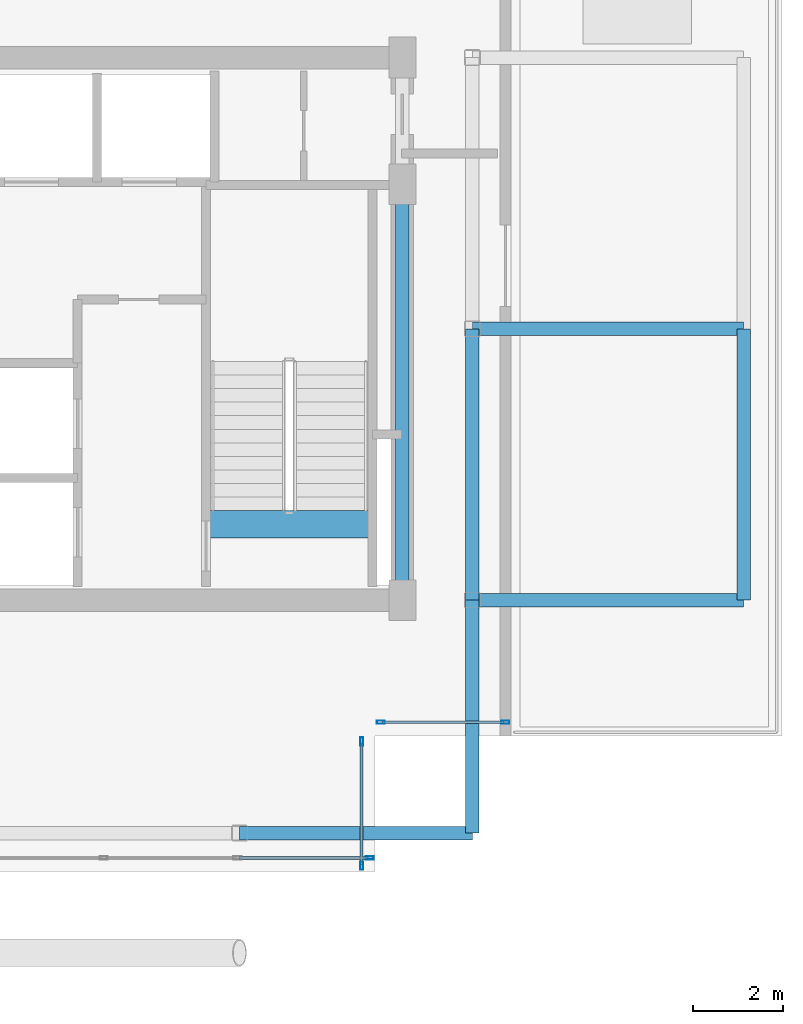
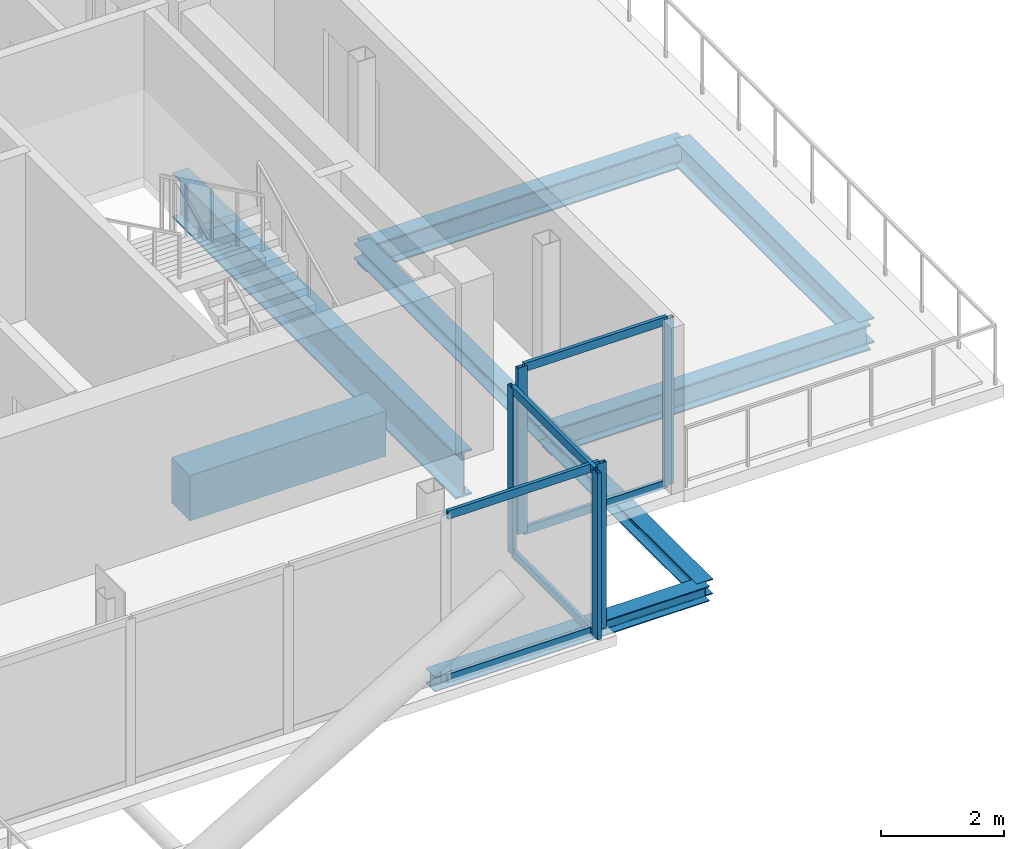
# One storey, part 11 of 19: 11 members, 8 beams, 3 elements without a shape of their own.
"""IFC4 building model written with IfcOpenShell, lengths in metres."""

from ifc_helpers import new_model, si_unit, direction, frame, origin, origin_2d, place, context, subcontext, project, spatial, rectangle, hollow_rectangle, i_section, extrude, material, layer, layer_set, material_profile, profile_set, type_object, element, aggregate, save


model = new_model("IFC4")

# Units and contexts
model_context = context("Model", 3, precision=1e-05, world=origin(), true_north=direction((0.0, 1.0)))
body_context = subcontext(model_context, "Body", "Model", "MODEL_VIEW")
ifc_project = project(units=[si_unit("LENGTHUNIT", "METRE"), si_unit("AREAUNIT", "SQUARE_METRE"), si_unit("VOLUMEUNIT", "CUBIC_METRE"), si_unit("PLANEANGLEUNIT", "RADIAN"), si_unit("MASSUNIT", "GRAM", prefix="KILO"), si_unit("THERMODYNAMICTEMPERATUREUNIT", "KELVIN"), si_unit("POWERUNIT", "WATT")], contexts=[model_context])

# Site, building, storey
site_placement = place(None, origin())
site = spatial("IfcSite", under=ifc_project, at=site_placement, CompositionType="ELEMENT")
building_placement = place(site_placement, origin())
building = spatial("IfcBuilding", under=site, at=building_placement, Name="Svarakhadi Broadcast Tower", CompositionType="ELEMENT")
storey_placement = place(building_placement, frame((0.0, 0.0, 239.699951171875)))
storey = spatial("IfcBuildingStorey", under=building, at=storey_placement, Name="L59", CompositionType="ELEMENT", Elevation=239.699951171875)

# Curtain wall, members
ifc_material_1 = material(Name="Anodised Bronze Aluminium AA 6063-T6", Category="aluminium")
ifc_layer = layer(ifc_material_1, 0.179931640625)
ifc_layer_set = layer_set([ifc_layer], Name="Anodised Bronze Aluminium AA 6063-T6")
curtain_wall_type = type_object("IfcCurtainWallType", Name="CW_Sys_05", PredefinedType="NOTDEFINED", material=ifc_layer_set)
curtain_wall_1_placement = place(storey_placement, origin())
curtain_wall_1 = element("IfcCurtainWall", 1, at=curtain_wall_1_placement, inside=storey, type_object=curtain_wall_type, Name="L59 Unitised Facade Curtain Wall 12", PredefinedType="NOTDEFINED")
ifc_material_profile_1 = material_profile(ifc_material_1, hollow_rectangle(XDim=0.070068359375, YDim=0.179931640625, WallThickness=0.005615234375, at=origin_2d()), Name="ALU MULLION 180x70x6")
ifc_profile_set_1 = profile_set([ifc_material_profile_1], Name="Anodised Bronze Aluminium AA 6063-T6")
member_type_1 = type_object("IfcMemberType", Name="CW_Sys_05_Mul", PredefinedType="MULLION", material=ifc_profile_set_1)
member_1_placement = place(storey_placement, frame((35.875, 3.300048828125, 0.0), z_axis=(0.0, 0.0, 1.0), x_axis=(0.0, -1.0, 0.0)))
member_1 = element("IfcMember", 2, at=member_1_placement, type_object=member_type_1, Name="CW-05 mullion 1", PredefinedType="MULLION", context=body_context, shape_type="SweptSolid", body=[
    extrude(hollow_rectangle(XDim=0.070068359375, YDim=0.179931640625, WallThickness=0.005615234375, at=origin_2d()), origin(), (0.0, 0.0, 1.0), 3.300048828125),
])
member_2_placement = place(storey_placement, frame((33.125, 3.300048828125, 0.0), z_axis=(0.0, 0.0, 1.0), x_axis=(0.0, -1.0, 0.0)))
member_2 = element("IfcMember", 3, at=member_2_placement, type_object=member_type_1, Name="CW-05 mullion 2", PredefinedType="MULLION", context=body_context, shape_type="SweptSolid", body=[
    extrude(hollow_rectangle(XDim=0.070068359375, YDim=0.179931640625, WallThickness=0.005615234375, at=origin_2d()), origin(), (0.0, 0.0, 1.0), 3.300048828125),
])

curtain_wall_2_placement = place(storey_placement, origin())
curtain_wall_2 = element("IfcCurtainWall", 4, at=curtain_wall_2_placement, inside=storey, type_object=curtain_wall_type, Name="L59 Unitised Facade Curtain Wall 13", PredefinedType="NOTDEFINED")
member_3_placement = place(storey_placement, frame((32.699951171875, 2.875, 0.0), z_axis=(0.0, 0.0, 1.0), x_axis=(1.0, 0.0, 0.0)))
member_3 = element("IfcMember", 5, at=member_3_placement, type_object=member_type_1, Name="CW-05 mullion 1", PredefinedType="MULLION", context=body_context, shape_type="SweptSolid", body=[
    extrude(hollow_rectangle(XDim=0.070068359375, YDim=0.179931640625, WallThickness=0.005615234375, at=origin_2d()), origin(), (0.0, 0.0, 1.0), 3.300048828125),
])
member_4_placement = place(storey_placement, frame((32.699951171875, 0.125, 0.0), z_axis=(0.0, 0.0, 1.0), x_axis=(1.0, 0.0, 0.0)))
member_4 = element("IfcMember", 6, at=member_4_placement, type_object=member_type_1, Name="CW-05 mullion 2", PredefinedType="MULLION", context=body_context, shape_type="SweptSolid", body=[
    extrude(hollow_rectangle(XDim=0.070068359375, YDim=0.179931640625, WallThickness=0.005615234375, at=origin_2d()), origin(), (0.0, 0.0, 1.0), 3.300048828125),
])

# Curtain wall, member
curtain_wall_3_placement = place(storey_placement, origin())
curtain_wall_3 = element("IfcCurtainWall", 7, at=curtain_wall_3_placement, inside=storey, type_object=curtain_wall_type, Name="L59 South Curtain Wall 14", PredefinedType="NOTDEFINED")
member_5_placement = place(storey_placement, frame((32.875, 0.300048828125, 0.0), z_axis=(0.0, 0.0, 1.0), x_axis=(0.0, -1.0, 0.0)))
member_5 = element("IfcMember", 8, at=member_5_placement, type_object=member_type_1, Name="CW-05 mullion 1", PredefinedType="MULLION", context=body_context, shape_type="SweptSolid", body=[
    extrude(hollow_rectangle(XDim=0.070068359375, YDim=0.179931640625, WallThickness=0.005615234375, at=origin_2d()), origin(), (0.0, 0.0, 1.0), 3.300048828125),
])

# Member
ifc_material_profile_2 = material_profile(ifc_material_1, hollow_rectangle(XDim=0.06494140625, YDim=0.1650390625, WallThickness=0.0048828125, at=origin_2d()), Name="ALU TRANSOM 165x65x5")
ifc_profile_set_2 = profile_set([ifc_material_profile_2], Name="Anodised Bronze Aluminium AA 6063-T6")
member_type_2 = type_object("IfcMemberType", Name="CW_Sys_05_Trn", PredefinedType="USERDEFINED", material=ifc_profile_set_2)
member_6_placement = place(storey_placement, frame((35.840087890625, 3.300048828125, 0.032470703125), z_axis=(-1.0, 0.0, 0.0), x_axis=(0.0, -1.0, 0.0)))
member_6 = element("IfcMember", 9, at=member_6_placement, type_object=member_type_2, Name="CW-05 transom 1.1", ObjectType="TRANSOM", PredefinedType="USERDEFINED", context=body_context, shape_type="SweptSolid", body=[
    extrude(hollow_rectangle(XDim=0.06494140625, YDim=0.1650390625, WallThickness=0.0048828125, at=origin_2d()), origin(), (0.0, 0.0, 1.0), 2.68017578125),
])

member_7_placement = place(storey_placement, frame((35.840087890625, 3.300048828125, 3.267578125), z_axis=(-1.0, 0.0, 0.0), x_axis=(0.0, -1.0, 0.0)))
member_7 = element("IfcMember", 10, at=member_7_placement, type_object=member_type_2, Name="CW-05 transom 1.2", ObjectType="TRANSOM", PredefinedType="USERDEFINED", context=body_context, shape_type="SweptSolid", body=[
    extrude(hollow_rectangle(XDim=0.06494140625, YDim=0.1650390625, WallThickness=0.0048828125, at=origin_2d()), origin(), (0.0, 0.0, 1.0), 2.68017578125),
])

aggregate(curtain_wall_1, [member_1, member_2, member_6, member_7])

member_8_placement = place(storey_placement, frame((32.699951171875, 2.840087890625, 0.032470703125), z_axis=(0.0, -1.0, 0.0), x_axis=(1.0, 0.0, 0.0)))
member_8 = element("IfcMember", 11, at=member_8_placement, type_object=member_type_2, Name="CW-05 transom 1.1", ObjectType="TRANSOM", PredefinedType="USERDEFINED", context=body_context, shape_type="SweptSolid", body=[
    extrude(hollow_rectangle(XDim=0.06494140625, YDim=0.1650390625, WallThickness=0.0048828125, at=origin_2d()), origin(), (0.0, 0.0, 1.0), 2.68017578125),
])

member_9_placement = place(storey_placement, frame((32.699951171875, 2.840087890625, 3.267578125), z_axis=(0.0, -1.0, 0.0), x_axis=(1.0, 0.0, 0.0)))
member_9 = element("IfcMember", 12, at=member_9_placement, type_object=member_type_2, Name="CW-05 transom 1.2", ObjectType="TRANSOM", PredefinedType="USERDEFINED", context=body_context, shape_type="SweptSolid", body=[
    extrude(hollow_rectangle(XDim=0.06494140625, YDim=0.1650390625, WallThickness=0.0048828125, at=origin_2d()), origin(), (0.0, 0.0, 1.0), 2.68017578125),
])

aggregate(curtain_wall_2, [member_3, member_4, member_8, member_9])

member_10_placement = place(storey_placement, frame((32.840087890625, 0.300048828125, 0.032470703125), z_axis=(-1.0, 0.0, 0.0), x_axis=(0.0, -1.0, 0.0)))
member_10 = element("IfcMember", 13, at=member_10_placement, type_object=member_type_2, Name="CW-05 transom 1.1", ObjectType="TRANSOM", PredefinedType="USERDEFINED", context=body_context, shape_type="SweptSolid", body=[
    extrude(hollow_rectangle(XDim=0.06494140625, YDim=0.1650390625, WallThickness=0.0048828125, at=origin_2d()), origin(), (0.0, 0.0, 1.0), 2.85009765625),
])

member_11_placement = place(storey_placement, frame((32.840087890625, 0.300048828125, 3.267578125), z_axis=(-1.0, 0.0, 0.0), x_axis=(0.0, -1.0, 0.0)))
member_11 = element("IfcMember", 14, at=member_11_placement, type_object=member_type_2, Name="CW-05 transom 1.2", ObjectType="TRANSOM", PredefinedType="USERDEFINED", context=body_context, shape_type="SweptSolid", body=[
    extrude(hollow_rectangle(XDim=0.06494140625, YDim=0.1650390625, WallThickness=0.0048828125, at=origin_2d()), origin(), (0.0, 0.0, 1.0), 2.85009765625),
])

aggregate(curtain_wall_3, [member_5, member_10, member_11])

# Beams
ifc_material_2 = material(Name="Concrete C50/60 (IS 456 M60)", Category="concrete")
ifc_material_profile_3 = material_profile(ifc_material_2, rectangle(XDim=0.60009765625, YDim=0.89990234375, at=origin_2d()), Name="RC 600x900")
ifc_profile_set_3 = profile_set([ifc_material_profile_3], Name="Concrete C50/60 (IS 456 M60)")
beam_type_1 = type_object("IfcBeamType", Name="Coupling_RC600", PredefinedType="USERDEFINED", material=ifc_profile_set_3)
beam_1_placement = place(storey_placement, frame((29.260009765625, 7.679931640625, -0.449951171875), z_axis=(1.0, 0.0, 0.0), x_axis=(0.0, 1.0, 0.0)))
element("IfcBeam", 15, at=beam_1_placement, inside=storey, type_object=beam_type_1, Name="L59 Stair ST-02 Landing Throat Trimmer Beam CB-01", ObjectType="GIRDER", PredefinedType="USERDEFINED", context=body_context, shape_type="SweptSolid", body=[
    extrude(rectangle(XDim=0.60009765625, YDim=0.89990234375, at=origin_2d()), origin(), (0.0, 0.0, 1.0), 3.679931640625),
])
ifc_material_3 = material(Name="Steel S355J2 (IS 2062 E350C)", Category="steel")
ifc_material_profile_4 = material_profile(ifc_material_3, i_section(OverallWidth=0.300048828125, OverallDepth=0.300048828125, WebThickness=0.010986328125, FlangeThickness=0.01904296875, FilletRadius=0.027099609375, at=origin_2d()), Name="WPB 300x300x117")
ifc_profile_set_4 = profile_set([ifc_material_profile_4], Name="Steel S355J2 (IS 2062 E350C)")
beam_type_2 = type_object("IfcBeamType", Name="Girder_WPB300", PredefinedType="USERDEFINED", material=ifc_profile_set_4)
for number, where, z_axis, x_axis, name in (
    (16, (30.0, 0.85009765625, -0.349853515625), (1.0, 0.0, 0.0), (0.0, 1.0, 0.0), "L59 Primary E-W Girder G008"),
    (17, (35.14990234375, 0.85009765625, -0.349853515625), (0.0, 1.0, 0.0), (-1.0, 0.0, 0.0), "L59 Primary N-S Girder G048"),
):
    element("IfcBeam", number, at=place(storey_placement, frame(where, z_axis=z_axis, x_axis=x_axis)), inside=storey, type_object=beam_type_2, Name=name, ObjectType="GIRDER", PredefinedType="USERDEFINED", context=body_context, shape_type="SweptSolid", body=[
        extrude(i_section(OverallWidth=0.300048828125, OverallDepth=0.300048828125, WebThickness=0.010986328125, FlangeThickness=0.01904296875, FilletRadius=0.027099609375, at=origin_2d()), origin(), (0.0, 0.0, 1.0), 5.14990234375),
    ])
beam_2_placement = place(storey_placement, frame((35.14990234375, 6.0, -0.349853515625), z_axis=(0.0, 1.0, 0.0), x_axis=(-1.0, 0.0, 0.0)))
element("IfcBeam", 18, at=beam_2_placement, inside=storey, type_object=beam_type_2, Name="L59 Primary N-S Girder G049", ObjectType="GIRDER", PredefinedType="USERDEFINED", context=body_context, shape_type="SweptSolid", body=[
    extrude(i_section(OverallWidth=0.300048828125, OverallDepth=0.300048828125, WebThickness=0.010986328125, FlangeThickness=0.01904296875, FilletRadius=0.027099609375, at=origin_2d()), origin(), (0.0, 0.0, 1.0), 6.0),
])
ifc_material_profile_5 = material_profile(ifc_material_3, i_section(OverallWidth=0.300048828125, OverallDepth=0.5, WebThickness=0.014404296875, FlangeThickness=0.028076171875, FilletRadius=0.027099609375, at=origin_2d()), Name="WPB 500x300x187")
ifc_profile_set_5 = profile_set([ifc_material_profile_5], Name="Steel S355J2 (IS 2062 E350C)")
beam_type_3 = type_object("IfcBeamType", Name="Girder_WPB500", PredefinedType="USERDEFINED", material=ifc_profile_set_5)
for number, where, z_axis, x_axis, name in (
    (19, (35.14990234375, 6.0, -0.489990234375), (1.0, 0.0, 0.0), (0.0, 1.0, 0.0), "L59 East Setback Terrace Bearer Girder"),
    (20, (35.14990234375, 12.0, -0.489990234375), (1.0, 0.0, 0.0), (0.0, 1.0, 0.0), "L59 East Setback Terrace Bearer Girder"),
    (21, (41.14990234375, 6.0, -0.489990234375), (0.0, 1.0, 0.0), (-1.0, 0.0, 0.0), "L59 East Setback Terrace Rim Girder 1"),
):
    element("IfcBeam", number, at=place(storey_placement, frame(where, z_axis=z_axis, x_axis=x_axis)), inside=storey, type_object=beam_type_3, Name=name, ObjectType="GIRDER", PredefinedType="USERDEFINED", context=body_context, shape_type="SweptSolid", body=[
        extrude(i_section(OverallWidth=0.300048828125, OverallDepth=0.5, WebThickness=0.014404296875, FlangeThickness=0.028076171875, FilletRadius=0.027099609375, at=origin_2d()), origin(), (0.0, 0.0, 1.0), 6.0),
    ])
ifc_material_4 = material(Name="Steel S460ML (IS 2062 E450BR)", Category="steel")
ifc_material_profile_6 = material_profile(ifc_material_4, i_section(OverallWidth=0.300048828125, OverallDepth=0.89990234375, WebThickness=0.0185546875, FlangeThickness=0.034912109375, FilletRadius=0.030029296875, at=origin_2d()), Name="WPB 900x300x291")
ifc_profile_set_6 = profile_set([ifc_material_profile_6], Name="Steel S460ML (IS 2062 E450BR)")
beam_type_4 = type_object("IfcBeamType", Name="Girder_WPB900", PredefinedType="USERDEFINED", material=ifc_profile_set_6)
beam_3_placement = place(storey_placement, frame((33.60009765625, 6.0, -0.64990234375), z_axis=(0.0, 1.0, 0.0), x_axis=(-1.0, 0.0, 0.0)))
element("IfcBeam", 22, at=beam_3_placement, inside=storey, type_object=beam_type_4, Name="L59 Primary N-S Girder G046", ObjectType="GIRDER", PredefinedType="USERDEFINED", context=body_context, shape_type="SweptSolid", body=[
    extrude(i_section(OverallWidth=0.300048828125, OverallDepth=0.89990234375, WebThickness=0.0185546875, FlangeThickness=0.034912109375, FilletRadius=0.030029296875, at=origin_2d()), origin(), (0.0, 0.0, 1.0), 9.199951171875),
])

save(model, "model.ifc")
